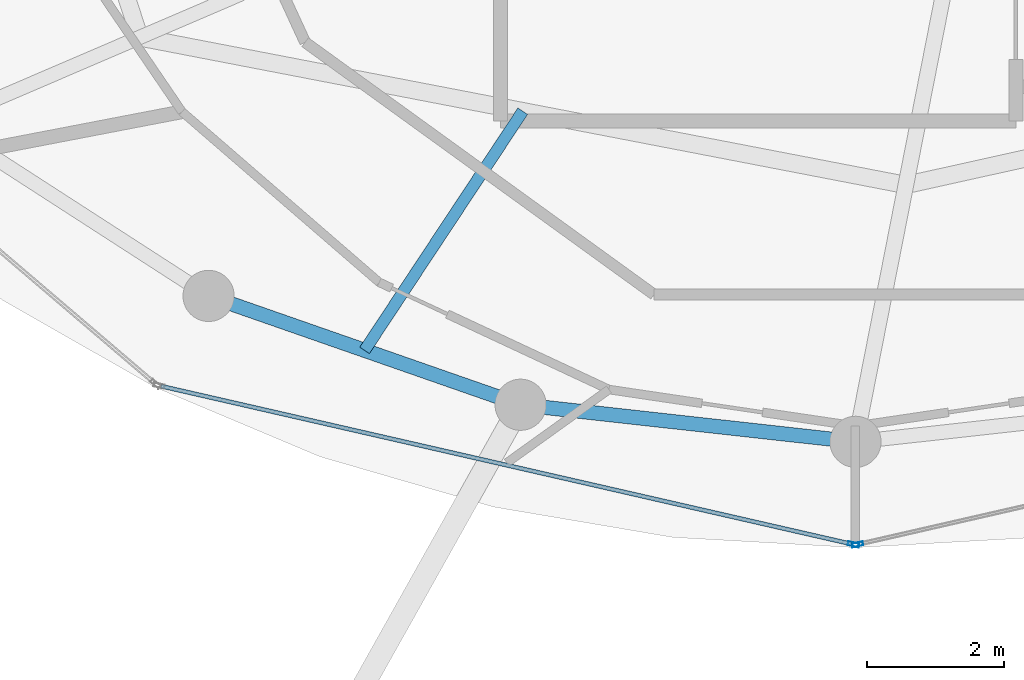
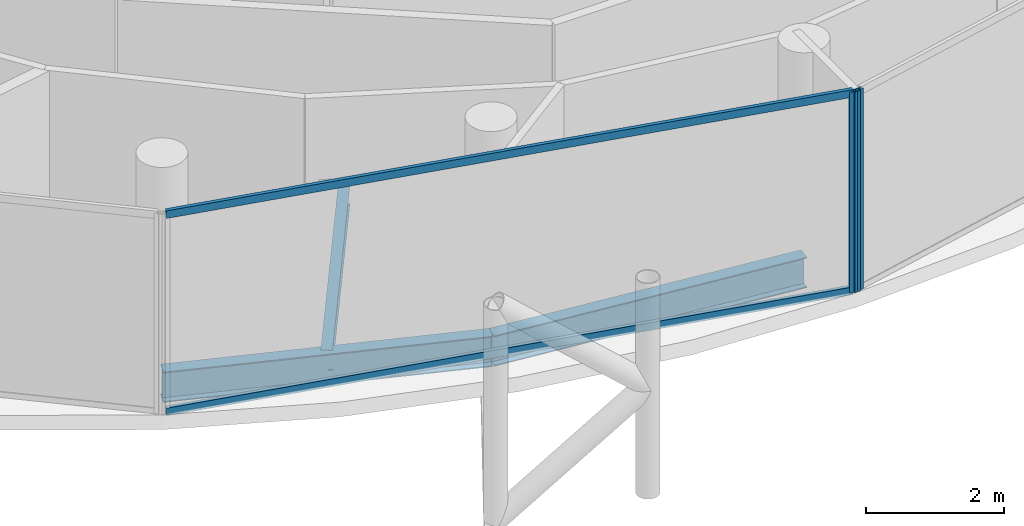
# One storey, part 4 of 24: 4 members, 3 beams, 2 elements without a shape of their own.
"""IFC4 building model written with IfcOpenShell, lengths in metres."""

from ifc_helpers import new_model, si_unit, direction, frame, origin, origin_2d, place, context, subcontext, project, spatial, hollow_rectangle, i_section, extrude, material, layer, layer_set, material_profile, profile_set, type_object, element, aggregate, save


model = new_model("IFC4")

# Units and contexts
model_context = context("Model", 3, precision=1e-05, world=origin(), true_north=direction((0.0, 1.0)))
body_context = subcontext(model_context, "Body", "Model", "MODEL_VIEW")
ifc_project = project(units=[si_unit("LENGTHUNIT", "METRE"), si_unit("AREAUNIT", "SQUARE_METRE"), si_unit("VOLUMEUNIT", "CUBIC_METRE"), si_unit("PLANEANGLEUNIT", "RADIAN"), si_unit("MASSUNIT", "GRAM", prefix="KILO")], contexts=[model_context])

# Site, building, storey
site_placement = place(None, origin())
site = spatial("IfcSite", under=ifc_project, at=site_placement, CompositionType="ELEMENT")
building_placement = place(site_placement, origin())
building = spatial("IfcBuilding", under=site, at=building_placement, Name="Nuhasar Tower", CompositionType="ELEMENT")
storey_placement = place(building_placement, frame((0.0, 0.0, 282.199951171875)))
storey = spatial("IfcBuildingStorey", under=building, at=storey_placement, Name="L70", CompositionType="ELEMENT", Elevation=282.199951171875)

# Beams
ifc_material_1 = material(Name="Steel S355", Category="steel")
ifc_material_profile_1 = material_profile(ifc_material_1, i_section(OverallWidth=0.1708984375, OverallDepth=0.35205078125, WebThickness=0.0068359375, FlangeThickness=0.009765625, at=origin_2d()), Name="W14X30")
ifc_profile_set_1 = profile_set([ifc_material_profile_1], Name="Steel S355")
beam_type_1 = type_object("IfcBeamType", Name="BM-JST-W14X30", PredefinedType="JOIST", material=ifc_profile_set_1)
beam_1_placement = place(storey_placement, frame((34.126953125, 15.693115234375, -0.43603515625), z_axis=(-0.551638003526, -0.834083636733, 0.0), x_axis=(0.834083636733, -0.551638003526, 0.0)))
element("IfcBeam", 1, at=beam_1_placement, inside=storey, type_object=beam_type_1, Name="L70 Secondary Floor Joist 01", PredefinedType="JOIST", context=body_context, shape_type="SweptSolid", body=[
    extrude(i_section(OverallWidth=0.1708984375, OverallDepth=0.35205078125, WebThickness=0.0068359375, FlangeThickness=0.009765625, at=origin_2d()), origin(), (0.0, 0.0, 1.0), 4.199951171875),
])
ifc_material_profile_2 = material_profile(ifc_material_1, i_section(OverallWidth=0.2099609375, OverallDepth=0.537109375, WebThickness=0.010986328125, FlangeThickness=0.017333984375, at=origin_2d()), Name="W21X68")
ifc_profile_set_2 = profile_set([ifc_material_profile_2], Name="Steel S355")
beam_type_2 = type_object("IfcBeamType", Name="BM-RING-W21X68", PredefinedType="SPANDREL", material=ifc_profile_set_2)
beam_2_placement = place(storey_placement, frame((29.52490234375, 12.987060546875, -0.529052734375), z_axis=(0.944214043504, -0.329332415729, 0.0), x_axis=(0.329332415729, 0.944214043504, 0.0)))
element("IfcBeam", 2, at=beam_2_placement, inside=storey, type_object=beam_type_2, Name="L70 Perimeter Ring Spandrel 17", PredefinedType="SPANDREL", context=body_context, shape_type="SweptSolid", body=[
    extrude(i_section(OverallWidth=0.2099609375, OverallDepth=0.537109375, WebThickness=0.010986328125, FlangeThickness=0.017333984375, at=origin_2d()), origin(), (0.0, 0.0, 1.0), 4.840087890625),
])
beam_3_placement = place(storey_placement, frame((34.094970703125, 11.39306640625, -0.529052734375), z_axis=(0.99392889943, -0.110024283128, 0.0), x_axis=(0.110024283128, 0.99392889943, 0.0)))
element("IfcBeam", 3, at=beam_3_placement, inside=storey, type_object=beam_type_2, Name="L70 Perimeter Ring Spandrel 18", PredefinedType="SPANDREL", context=body_context, shape_type="SweptSolid", body=[
    extrude(i_section(OverallWidth=0.2099609375, OverallDepth=0.537109375, WebThickness=0.010986328125, FlangeThickness=0.017333984375, at=origin_2d()), origin(), (0.0, 0.0, 1.0), 4.93505859375),
])

# Curtain wall, member
ifc_material_2 = material(Name="Aluminium 6063-T6", Category="aluminium")
ifc_layer = layer(ifc_material_2, 0.18994140625)
ifc_layer_set = layer_set([ifc_layer], Name="Aluminium 6063-T6")
curtain_wall_type = type_object("IfcCurtainWallType", Name="CW-Z4-PEN", PredefinedType="NOTDEFINED", material=ifc_layer_set)
curtain_wall_1_placement = place(storey_placement, origin())
curtain_wall_1 = element("IfcCurtainWall", 4, at=curtain_wall_1_placement, inside=storey, type_object=curtain_wall_type, Name="L70 Unitised Curtain Wall 09", PredefinedType="NOTDEFINED")
ifc_material_profile_3 = material_profile(ifc_material_2, hollow_rectangle(XDim=0.06005859375, YDim=0.1650390625, WallThickness=0.0048828125, at=origin_2d()), Name="CWM-5")
ifc_profile_set_3 = profile_set([ifc_material_profile_3], Name="Aluminium 6063-T6")
member_type_1 = type_object("IfcMemberType", Name="CW-MUL-S5", PredefinedType="MULLION", material=ifc_profile_set_3)
member_1_placement = place(storey_placement, frame((38.970703125, 9.3466796875, 0.0), z_axis=(0.0, 0.0, 1.0), x_axis=(0.222889487645, 0.97484371891, 0.0)))
member_1 = element("IfcMember", 5, at=member_1_placement, type_object=member_type_1, Name="CW-Z4 mullion 2", PredefinedType="MULLION", context=body_context, shape_type="SweptSolid", body=[
    extrude(hollow_rectangle(XDim=0.06005859375, YDim=0.1650390625, WallThickness=0.0048828125, at=origin_2d()), origin(), (0.0, 0.0, 1.0), 3.5400390625),
])

curtain_wall_2_placement = place(storey_placement, origin())
curtain_wall_2 = element("IfcCurtainWall", 6, at=curtain_wall_2_placement, inside=storey, type_object=curtain_wall_type, Name="L70 Unitised Curtain Wall 10", PredefinedType="NOTDEFINED")
member_2_placement = place(storey_placement, frame((39.029296875, 9.3466796875, 0.0), z_axis=(0.0, 0.0, 1.0), x_axis=(-0.222889487645, 0.97484371891, 0.0)))
member_2 = element("IfcMember", 7, at=member_2_placement, type_object=member_type_1, Name="CW-Z4 mullion 1", PredefinedType="MULLION", context=body_context, shape_type="SweptSolid", body=[
    extrude(hollow_rectangle(XDim=0.06005859375, YDim=0.1650390625, WallThickness=0.0048828125, at=origin_2d()), origin(), (0.0, 0.0, 1.0), 3.5400390625),
])
aggregate(curtain_wall_2, [member_2])

# Member
ifc_material_profile_4 = material_profile(ifc_material_2, hollow_rectangle(XDim=0.06005859375, YDim=0.135009765625, WallThickness=0.00439453125, at=origin_2d()), Name="CWT-5")
ifc_profile_set_4 = profile_set([ifc_material_profile_4], Name="Aluminium 6063-T6")
member_type_2 = type_object("IfcMemberType", Name="CW-TRN-S5", PredefinedType="USERDEFINED", material=ifc_profile_set_4)
member_3_placement = place(storey_placement, frame((28.828369140625, 11.66552734375, 0.030029296875), z_axis=(0.974843752401, -0.222889341163, 0.0), x_axis=(0.222889341163, 0.974843752401, 0.0)))
member_3 = element("IfcMember", 8, at=member_3_placement, type_object=member_type_2, Name="CW-Z4 transom 1.1", ObjectType="TRANSOM", PredefinedType="USERDEFINED", context=body_context, shape_type="SweptSolid", body=[
    extrude(hollow_rectangle(XDim=0.06005859375, YDim=0.135009765625, WallThickness=0.00439453125, at=origin_2d()), origin(), (0.0, 0.0, 1.0), 10.3740234375),
])

member_4_placement = place(storey_placement, frame((28.828369140625, 11.66552734375, 3.510009765625), z_axis=(0.974843752401, -0.222889341163, 0.0), x_axis=(0.222889341163, 0.974843752401, 0.0)))
member_4 = element("IfcMember", 9, at=member_4_placement, type_object=member_type_2, Name="CW-Z4 transom 1.2", ObjectType="TRANSOM", PredefinedType="USERDEFINED", context=body_context, shape_type="SweptSolid", body=[
    extrude(hollow_rectangle(XDim=0.06005859375, YDim=0.135009765625, WallThickness=0.00439453125, at=origin_2d()), origin(), (0.0, 0.0, 1.0), 10.3740234375),
])

aggregate(curtain_wall_1, [member_1, member_3, member_4])

save(model, "model.ifc")
